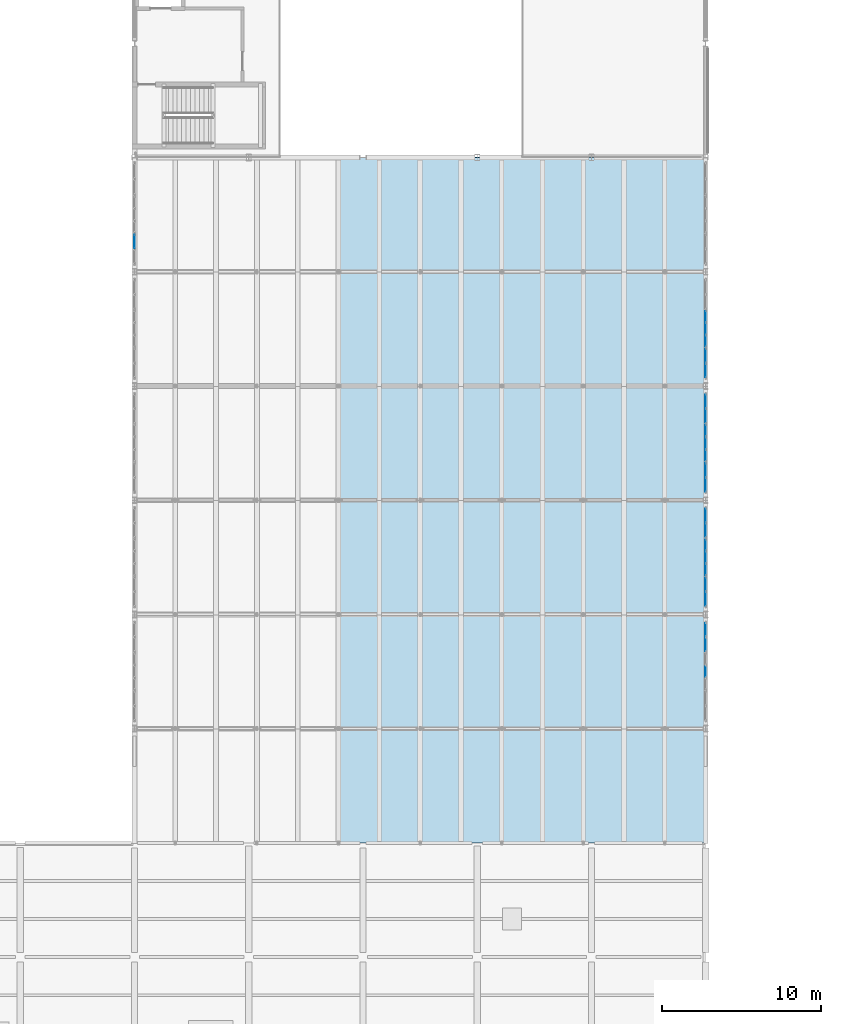
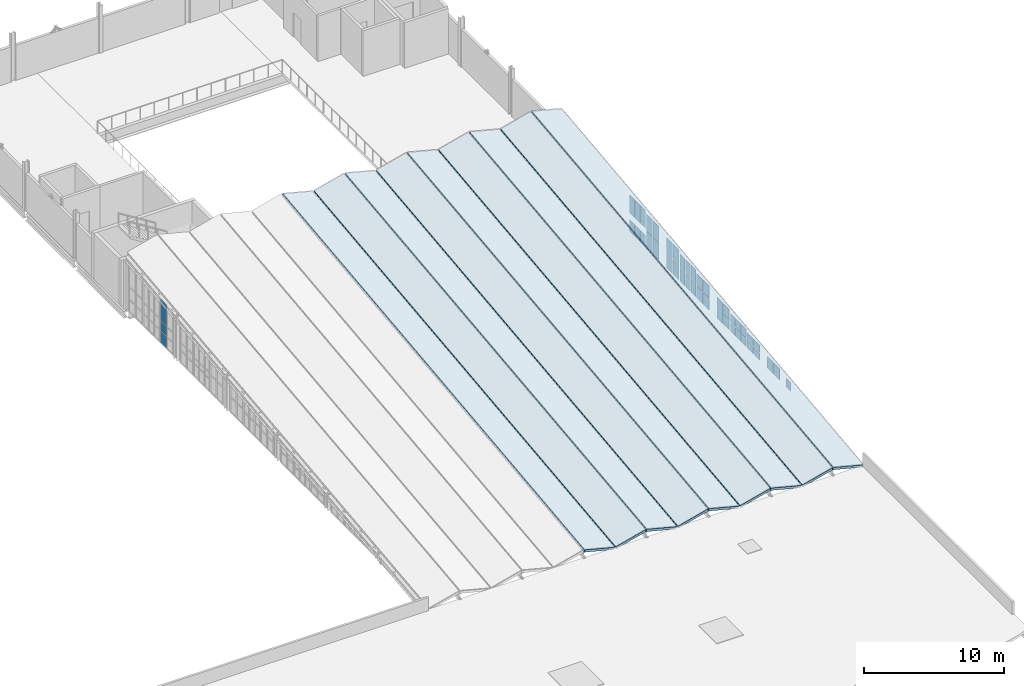
# One storey, part 31 of 48: 44 plates, 9 slabs, 12 elements without a shape of their own.
"""IFC4 building model written with IfcOpenShell, lengths in metres."""

from ifc_helpers import new_model, si_unit, direction, frame, origin, origin_2d, place, context, subcontext, project, spatial, polyline, rectangle, outline, extrude, material, layer, layer_set, type_object, element, aggregate, save


model = new_model("IFC4")

# Units and contexts
model_context = context("Model", 3, precision=1e-05, world=origin(), true_north=direction((0.0, 1.0)))
body_context = subcontext(model_context, "Body", "Model", "MODEL_VIEW")
ifc_project = project(units=[si_unit("LENGTHUNIT", "METRE"), si_unit("AREAUNIT", "SQUARE_METRE"), si_unit("VOLUMEUNIT", "CUBIC_METRE"), si_unit("PLANEANGLEUNIT", "RADIAN"), si_unit("MASSUNIT", "GRAM", prefix="KILO"), si_unit("THERMODYNAMICTEMPERATUREUNIT", "KELVIN"), si_unit("POWERUNIT", "WATT")], contexts=[model_context])

# Site, building, storey
site_placement = place(None, origin())
site = spatial("IfcSite", under=ifc_project, at=site_placement, CompositionType="ELEMENT")
building_placement = place(site_placement, origin())
building = spatial("IfcBuilding", under=site, at=building_placement, Name="Kaldorven Railside Theatre", CompositionType="ELEMENT")
storey_placement = place(building_placement, frame((0.0, 0.0, 18.89990234375)))
storey = spatial("IfcBuildingStorey", under=building, at=storey_placement, Name="L04", CompositionType="ELEMENT", Elevation=18.89990234375)

# Curtain wall, plates
ifc_material_1 = material(Name="Low-E laminated solar-control glass", Category="glass")
ifc_layer_1 = layer(ifc_material_1, 0.159912109375, Name="Low-E laminated solar-control glass")
ifc_layer_set_1 = layer_set([ifc_layer_1], Name="Low-E laminated solar-control glass")
curtain_wall_type_1 = type_object("IfcCurtainWallType", Name="CWT-38", PredefinedType="USERDEFINED", material=ifc_layer_set_1)
curtain_wall_1_placement = place(storey_placement, origin())
curtain_wall_1 = element("IfcCurtainWall", 1, at=curtain_wall_1_placement, inside=storey, type_object=curtain_wall_type_1, Name="Main Theatre West Eave Clerestory CWG-014", ObjectType="FLUTED GLAZING", PredefinedType="USERDEFINED")
ifc_layer_2 = layer(ifc_material_1, 0.028076171875, Name="Low-E laminated solar-control glass")
ifc_layer_set_2 = layer_set([ifc_layer_2], Name="Low-E laminated solar-control glass")
plate_type = type_object("IfcPlateType", Name="CWP-GLZ28", PredefinedType="CURTAIN_PANEL", material=ifc_layer_set_2)
plate_1_placement = place(storey_placement, frame((87.199951171875, 78.6962890625, 0.080078125), z_axis=(0.0, 0.0, 1.0), x_axis=(0.0, 1.0, 0.0)))
plate_1 = element("IfcPlate", 2, at=plate_1_placement, type_object=plate_type, Name="CWG-014 panel 2.1", PredefinedType="CURTAIN_PANEL", context=body_context, shape_type="SweptSolid", body=[
    extrude(rectangle(XDim=0.847412109375, YDim=0.028076171875, at=origin_2d()), origin(), (0.0, 0.0, 1.0), 1.010009765625),
])
plate_2_placement = place(storey_placement, frame((87.199951171875, 78.6962890625, 1.150146484375), z_axis=(0.0, 0.0, 1.0), x_axis=(0.0, 1.0, 0.0)))
plate_2 = element("IfcPlate", 3, at=plate_2_placement, type_object=plate_type, Name="CWG-014 panel 2.2", PredefinedType="CURTAIN_PANEL", context=body_context, shape_type="SweptSolid", body=[
    extrude(rectangle(XDim=0.847412109375, YDim=0.028076171875, at=origin_2d()), origin(), (0.0, 0.0, 1.0), 0.7900390625),
])
plate_3_placement = place(storey_placement, frame((87.199951171875, 78.6962890625, 2.0), z_axis=(0.0, 0.0, 1.0), x_axis=(0.0, 1.0, 0.0)))
plate_3 = element("IfcPlate", 4, at=plate_3_placement, type_object=plate_type, Name="CWG-014 panel 2.3", PredefinedType="CURTAIN_PANEL", context=body_context, shape_type="SweptSolid", body=[
    extrude(rectangle(XDim=0.847412109375, YDim=0.028076171875, at=origin_2d()), origin(), (0.0, 0.0, 1.0), 1.860107421875),
])
aggregate(curtain_wall_1, [plate_1, plate_2, plate_3])

# Curtain wall, plate
ifc_layer_3 = layer(ifc_material_1, 0.159912109375, Name="Low-E laminated solar-control glass")
ifc_layer_set_3 = layer_set([ifc_layer_3], Name="Low-E laminated solar-control glass")
curtain_wall_type_2 = type_object("IfcCurtainWallType", Name="CWT-27", PredefinedType="USERDEFINED", material=ifc_layer_set_3)
curtain_wall_2_placement = place(storey_placement, origin())
curtain_wall_2 = element("IfcCurtainWall", 5, at=curtain_wall_2_placement, inside=storey, type_object=curtain_wall_type_2, Name="Main Theatre East Eave Clerestory CWG-019", ObjectType="FLUTED GLAZING", PredefinedType="USERDEFINED")
plate_4_placement = place(storey_placement, frame((123.199951171875, 51.60009765625, 0.080078125), z_axis=(0.0, 0.0, 1.0), x_axis=(0.0, 1.0, 0.0)))
plate_4 = element("IfcPlate", 6, at=plate_4_placement, type_object=plate_type, Name="CWG-019 panel 2.1", PredefinedType="CURTAIN_PANEL", context=body_context, shape_type="SweptSolid", body=[
    extrude(rectangle(XDim=0.719970703125, YDim=0.028076171875, at=origin_2d()), origin(), (0.0, 0.0, 1.0), 0.719970703125),
])
aggregate(curtain_wall_2, [plate_4])

# Curtain wall, plates
ifc_layer_4 = layer(ifc_material_1, 0.159912109375, Name="Low-E laminated solar-control glass")
ifc_layer_set_4 = layer_set([ifc_layer_4], Name="Low-E laminated solar-control glass")
curtain_wall_type_3 = type_object("IfcCurtainWallType", Name="CWT-28", PredefinedType="USERDEFINED", material=ifc_layer_set_4)
curtain_wall_3_placement = place(storey_placement, origin())
curtain_wall_3 = element("IfcCurtainWall", 7, at=curtain_wall_3_placement, inside=storey, type_object=curtain_wall_type_3, Name="Main Theatre East Eave Clerestory CWG-020", ObjectType="FLUTED GLAZING", PredefinedType="USERDEFINED")
plate_5_placement = place(storey_placement, frame((123.199951171875, 53.3037109375, 0.080078125), z_axis=(0.0, 0.0, 1.0), x_axis=(0.0, 1.0, 0.0)))
plate_5 = element("IfcPlate", 8, at=plate_5_placement, type_object=plate_type, Name="CWG-020 panel 1.1", PredefinedType="CURTAIN_PANEL", context=body_context, shape_type="SweptSolid", body=[
    extrude(rectangle(XDim=0.847412109375, YDim=0.028076171875, at=origin_2d()), origin(), (0.0, 0.0, 1.0), 1.0),
])
plate_6_placement = place(storey_placement, frame((123.199951171875, 54.231201171875, 0.080078125), z_axis=(0.0, 0.0, 1.0), x_axis=(0.0, 1.0, 0.0)))
plate_6 = element("IfcPlate", 9, at=plate_6_placement, type_object=plate_type, Name="CWG-020 panel 2.1", PredefinedType="CURTAIN_PANEL", context=body_context, shape_type="SweptSolid", body=[
    extrude(rectangle(XDim=0.847412109375, YDim=0.028076171875, at=origin_2d()), origin(), (0.0, 0.0, 1.0), 1.0),
])
aggregate(curtain_wall_3, [plate_5, plate_6])

ifc_layer_5 = layer(ifc_material_1, 0.159912109375, Name="Low-E laminated solar-control glass")
ifc_layer_set_5 = layer_set([ifc_layer_5], Name="Low-E laminated solar-control glass")
curtain_wall_type_4 = type_object("IfcCurtainWallType", Name="CWT-29", PredefinedType="USERDEFINED", material=ifc_layer_set_5)
curtain_wall_4_placement = place(storey_placement, origin())
curtain_wall_4 = element("IfcCurtainWall", 10, at=curtain_wall_4_placement, inside=storey, type_object=curtain_wall_type_4, Name="Main Theatre East Eave Clerestory CWG-021", ObjectType="FLUTED GLAZING", PredefinedType="USERDEFINED")
plate_7_placement = place(storey_placement, frame((123.199951171875, 56.168701171875, 0.080078125), z_axis=(0.0, 0.0, 1.0), x_axis=(0.0, 1.0, 0.0)))
plate_7 = element("IfcPlate", 11, at=plate_7_placement, type_object=plate_type, Name="CWG-021 panel 1.1", PredefinedType="CURTAIN_PANEL", context=body_context, shape_type="SweptSolid", body=[
    extrude(rectangle(XDim=0.847412109375, YDim=0.028076171875, at=origin_2d()), origin(), (0.0, 0.0, 1.0), 0.6298828125),
])
plate_8_placement = place(storey_placement, frame((123.199951171875, 56.168701171875, 0.770263671875), z_axis=(0.0, 0.0, 1.0), x_axis=(0.0, 1.0, 0.0)))
plate_8 = element("IfcPlate", 12, at=plate_8_placement, type_object=plate_type, Name="CWG-021 panel 1.2", PredefinedType="CURTAIN_PANEL", context=body_context, shape_type="SweptSolid", body=[
    extrude(rectangle(XDim=0.847412109375, YDim=0.028076171875, at=origin_2d()), origin(), (0.0, 0.0, 1.0), 0.6298828125),
])
plate_9_placement = place(storey_placement, frame((123.199951171875, 57.09619140625, 0.080078125), z_axis=(0.0, 0.0, 1.0), x_axis=(0.0, 1.0, 0.0)))
plate_9 = element("IfcPlate", 13, at=plate_9_placement, type_object=plate_type, Name="CWG-021 panel 2.1", PredefinedType="CURTAIN_PANEL", context=body_context, shape_type="SweptSolid", body=[
    extrude(rectangle(XDim=0.847412109375, YDim=0.028076171875, at=origin_2d()), origin(), (0.0, 0.0, 1.0), 0.6298828125),
])
plate_10_placement = place(storey_placement, frame((123.199951171875, 57.09619140625, 0.770263671875), z_axis=(0.0, 0.0, 1.0), x_axis=(0.0, 1.0, 0.0)))
plate_10 = element("IfcPlate", 14, at=plate_10_placement, type_object=plate_type, Name="CWG-021 panel 2.2", PredefinedType="CURTAIN_PANEL", context=body_context, shape_type="SweptSolid", body=[
    extrude(rectangle(XDim=0.847412109375, YDim=0.028076171875, at=origin_2d()), origin(), (0.0, 0.0, 1.0), 0.6298828125),
])
aggregate(curtain_wall_4, [plate_7, plate_8, plate_9, plate_10])

ifc_layer_6 = layer(ifc_material_1, 0.159912109375, Name="Low-E laminated solar-control glass")
ifc_layer_set_6 = layer_set([ifc_layer_6], Name="Low-E laminated solar-control glass")
curtain_wall_type_5 = type_object("IfcCurtainWallType", Name="CWT-30", PredefinedType="USERDEFINED", material=ifc_layer_set_6)
curtain_wall_5_placement = place(storey_placement, origin())
curtain_wall_5 = element("IfcCurtainWall", 15, at=curtain_wall_5_placement, inside=storey, type_object=curtain_wall_type_5, Name="Main Theatre East Eave Clerestory CWG-022", ObjectType="FLUTED GLAZING", PredefinedType="USERDEFINED")
plate_11_placement = place(storey_placement, frame((123.199951171875, 58.02001953125, 0.080078125), z_axis=(0.0, 0.0, 1.0), x_axis=(0.0, 1.0, 0.0)))
plate_11 = element("IfcPlate", 16, at=plate_11_placement, type_object=plate_type, Name="CWG-022 panel 1.1", PredefinedType="CURTAIN_PANEL", context=body_context, shape_type="SweptSolid", body=[
    extrude(rectangle(XDim=0.679931640625, YDim=0.028076171875, at=origin_2d()), origin(), (0.0, 0.0, 1.0), 0.739990234375),
])
plate_12_placement = place(storey_placement, frame((123.199951171875, 58.02001953125, 0.8798828125), z_axis=(0.0, 0.0, 1.0), x_axis=(0.0, 1.0, 0.0)))
plate_12 = element("IfcPlate", 17, at=plate_12_placement, type_object=plate_type, Name="CWG-022 panel 1.2", PredefinedType="CURTAIN_PANEL", context=body_context, shape_type="SweptSolid", body=[
    extrude(rectangle(XDim=0.679931640625, YDim=0.028076171875, at=origin_2d()), origin(), (0.0, 0.0, 1.0), 0.739990234375),
])
plate_13_placement = place(storey_placement, frame((123.199951171875, 58.800048828125, 0.080078125), z_axis=(0.0, 0.0, 1.0), x_axis=(0.0, 1.0, 0.0)))
plate_13 = element("IfcPlate", 18, at=plate_13_placement, type_object=plate_type, Name="CWG-022 panel 2.1", PredefinedType="CURTAIN_PANEL", context=body_context, shape_type="SweptSolid", body=[
    extrude(rectangle(XDim=0.719970703125, YDim=0.028076171875, at=origin_2d()), origin(), (0.0, 0.0, 1.0), 0.739990234375),
])
plate_14_placement = place(storey_placement, frame((123.199951171875, 58.800048828125, 0.8798828125), z_axis=(0.0, 0.0, 1.0), x_axis=(0.0, 1.0, 0.0)))
plate_14 = element("IfcPlate", 19, at=plate_14_placement, type_object=plate_type, Name="CWG-022 panel 2.2", PredefinedType="CURTAIN_PANEL", context=body_context, shape_type="SweptSolid", body=[
    extrude(rectangle(XDim=0.719970703125, YDim=0.028076171875, at=origin_2d()), origin(), (0.0, 0.0, 1.0), 0.739990234375),
])
plate_15_placement = place(storey_placement, frame((123.199951171875, 59.580078125, 0.080078125), z_axis=(0.0, 0.0, 1.0), x_axis=(0.0, 1.0, 0.0)))
plate_15 = element("IfcPlate", 20, at=plate_15_placement, type_object=plate_type, Name="CWG-022 panel 3.1", PredefinedType="CURTAIN_PANEL", context=body_context, shape_type="SweptSolid", body=[
    extrude(rectangle(XDim=0.679931640625, YDim=0.028076171875, at=origin_2d()), origin(), (0.0, 0.0, 1.0), 0.739990234375),
])
plate_16_placement = place(storey_placement, frame((123.199951171875, 59.580078125, 0.8798828125), z_axis=(0.0, 0.0, 1.0), x_axis=(0.0, 1.0, 0.0)))
plate_16 = element("IfcPlate", 21, at=plate_16_placement, type_object=plate_type, Name="CWG-022 panel 3.2", PredefinedType="CURTAIN_PANEL", context=body_context, shape_type="SweptSolid", body=[
    extrude(rectangle(XDim=0.679931640625, YDim=0.028076171875, at=origin_2d()), origin(), (0.0, 0.0, 1.0), 0.739990234375),
])
aggregate(curtain_wall_5, [plate_11, plate_12, plate_13, plate_14, plate_15, plate_16])

ifc_layer_7 = layer(ifc_material_1, 0.159912109375, Name="Low-E laminated solar-control glass")
ifc_layer_set_7 = layer_set([ifc_layer_7], Name="Low-E laminated solar-control glass")
curtain_wall_type_6 = type_object("IfcCurtainWallType", Name="CWT-31", PredefinedType="USERDEFINED", material=ifc_layer_set_7)
curtain_wall_6_placement = place(storey_placement, origin())
curtain_wall_6 = element("IfcCurtainWall", 22, at=curtain_wall_6_placement, inside=storey, type_object=curtain_wall_type_6, Name="Main Theatre East Eave Clerestory CWG-023", ObjectType="FLUTED GLAZING", PredefinedType="USERDEFINED")
plate_17_placement = place(storey_placement, frame((123.199951171875, 60.503662109375, 0.080078125), z_axis=(0.0, 0.0, 1.0), x_axis=(0.0, 1.0, 0.0)))
plate_17 = element("IfcPlate", 23, at=plate_17_placement, type_object=plate_type, Name="CWG-023 panel 1.1", PredefinedType="CURTAIN_PANEL", context=body_context, shape_type="SweptSolid", body=[
    extrude(rectangle(XDim=0.847412109375, YDim=0.028076171875, at=origin_2d()), origin(), (0.0, 0.0, 1.0), 0.8798828125),
])
plate_18_placement = place(storey_placement, frame((123.199951171875, 60.503662109375, 1.020263671875), z_axis=(0.0, 0.0, 1.0), x_axis=(0.0, 1.0, 0.0)))
plate_18 = element("IfcPlate", 24, at=plate_18_placement, type_object=plate_type, Name="CWG-023 panel 1.2", PredefinedType="CURTAIN_PANEL", context=body_context, shape_type="SweptSolid", body=[
    extrude(rectangle(XDim=0.847412109375, YDim=0.028076171875, at=origin_2d()), origin(), (0.0, 0.0, 1.0), 0.8798828125),
])
plate_19_placement = place(storey_placement, frame((123.199951171875, 61.43115234375, 0.080078125), z_axis=(0.0, 0.0, 1.0), x_axis=(0.0, 1.0, 0.0)))
plate_19 = element("IfcPlate", 25, at=plate_19_placement, type_object=plate_type, Name="CWG-023 panel 2.1", PredefinedType="CURTAIN_PANEL", context=body_context, shape_type="SweptSolid", body=[
    extrude(rectangle(XDim=0.847412109375, YDim=0.028076171875, at=origin_2d()), origin(), (0.0, 0.0, 1.0), 0.8798828125),
])
plate_20_placement = place(storey_placement, frame((123.199951171875, 61.43115234375, 1.020263671875), z_axis=(0.0, 0.0, 1.0), x_axis=(0.0, 1.0, 0.0)))
plate_20 = element("IfcPlate", 26, at=plate_20_placement, type_object=plate_type, Name="CWG-023 panel 2.2", PredefinedType="CURTAIN_PANEL", context=body_context, shape_type="SweptSolid", body=[
    extrude(rectangle(XDim=0.847412109375, YDim=0.028076171875, at=origin_2d()), origin(), (0.0, 0.0, 1.0), 0.8798828125),
])
aggregate(curtain_wall_6, [plate_17, plate_18, plate_19, plate_20])

ifc_layer_8 = layer(ifc_material_1, 0.159912109375, Name="Low-E laminated solar-control glass")
ifc_layer_set_8 = layer_set([ifc_layer_8], Name="Low-E laminated solar-control glass")
curtain_wall_type_7 = type_object("IfcCurtainWallType", Name="CWT-32", PredefinedType="USERDEFINED", material=ifc_layer_set_8)
curtain_wall_7_placement = place(storey_placement, origin())
curtain_wall_7 = element("IfcCurtainWall", 27, at=curtain_wall_7_placement, inside=storey, type_object=curtain_wall_type_7, Name="Main Theatre East Eave Clerestory CWG-024", ObjectType="FLUTED GLAZING", PredefinedType="USERDEFINED")
plate_21_placement = place(storey_placement, frame((123.199951171875, 63.36865234375, 0.080078125), z_axis=(0.0, 0.0, 1.0), x_axis=(0.0, 1.0, 0.0)))
plate_21 = element("IfcPlate", 28, at=plate_21_placement, type_object=plate_type, Name="CWG-024 panel 1.1", PredefinedType="CURTAIN_PANEL", context=body_context, shape_type="SweptSolid", body=[
    extrude(rectangle(XDim=0.847412109375, YDim=0.028076171875, at=origin_2d()), origin(), (0.0, 0.0, 1.0), 1.0400390625),
])
plate_22_placement = place(storey_placement, frame((123.199951171875, 63.36865234375, 1.18017578125), z_axis=(0.0, 0.0, 1.0), x_axis=(0.0, 1.0, 0.0)))
plate_22 = element("IfcPlate", 29, at=plate_22_placement, type_object=plate_type, Name="CWG-024 panel 1.2", PredefinedType="CURTAIN_PANEL", context=body_context, shape_type="SweptSolid", body=[
    extrude(rectangle(XDim=0.847412109375, YDim=0.028076171875, at=origin_2d()), origin(), (0.0, 0.0, 1.0), 1.0400390625),
])
plate_23_placement = place(storey_placement, frame((123.199951171875, 64.296142578125, 0.080078125), z_axis=(0.0, 0.0, 1.0), x_axis=(0.0, 1.0, 0.0)))
plate_23 = element("IfcPlate", 30, at=plate_23_placement, type_object=plate_type, Name="CWG-024 panel 2.1", PredefinedType="CURTAIN_PANEL", context=body_context, shape_type="SweptSolid", body=[
    extrude(rectangle(XDim=0.847412109375, YDim=0.028076171875, at=origin_2d()), origin(), (0.0, 0.0, 1.0), 1.0400390625),
])
plate_24_placement = place(storey_placement, frame((123.199951171875, 64.296142578125, 1.18017578125), z_axis=(0.0, 0.0, 1.0), x_axis=(0.0, 1.0, 0.0)))
plate_24 = element("IfcPlate", 31, at=plate_24_placement, type_object=plate_type, Name="CWG-024 panel 2.2", PredefinedType="CURTAIN_PANEL", context=body_context, shape_type="SweptSolid", body=[
    extrude(rectangle(XDim=0.847412109375, YDim=0.028076171875, at=origin_2d()), origin(), (0.0, 0.0, 1.0), 1.0400390625),
])
aggregate(curtain_wall_7, [plate_21, plate_22, plate_23, plate_24])

ifc_layer_9 = layer(ifc_material_1, 0.159912109375, Name="Low-E laminated solar-control glass")
ifc_layer_set_9 = layer_set([ifc_layer_9], Name="Low-E laminated solar-control glass")
curtain_wall_type_8 = type_object("IfcCurtainWallType", Name="CWT-33", PredefinedType="USERDEFINED", material=ifc_layer_set_9)
curtain_wall_8_placement = place(storey_placement, origin())
curtain_wall_8 = element("IfcCurtainWall", 32, at=curtain_wall_8_placement, inside=storey, type_object=curtain_wall_type_8, Name="Main Theatre East Eave Clerestory CWG-025", ObjectType="FLUTED GLAZING", PredefinedType="USERDEFINED")
plate_25_placement = place(storey_placement, frame((123.199951171875, 65.219970703125, 0.080078125), z_axis=(0.0, 0.0, 1.0), x_axis=(0.0, 1.0, 0.0)))
plate_25 = element("IfcPlate", 33, at=plate_25_placement, type_object=plate_type, Name="CWG-025 panel 1.1", PredefinedType="CURTAIN_PANEL", context=body_context, shape_type="SweptSolid", body=[
    extrude(rectangle(XDim=0.679931640625, YDim=0.028076171875, at=origin_2d()), origin(), (0.0, 0.0, 1.0), 1.14990234375),
])
plate_26_placement = place(storey_placement, frame((123.199951171875, 65.219970703125, 1.2900390625), z_axis=(0.0, 0.0, 1.0), x_axis=(0.0, 1.0, 0.0)))
plate_26 = element("IfcPlate", 34, at=plate_26_placement, type_object=plate_type, Name="CWG-025 panel 1.2", PredefinedType="CURTAIN_PANEL", context=body_context, shape_type="SweptSolid", body=[
    extrude(rectangle(XDim=0.679931640625, YDim=0.028076171875, at=origin_2d()), origin(), (0.0, 0.0, 1.0), 1.14990234375),
])
plate_27_placement = place(storey_placement, frame((123.199951171875, 66.0, 0.080078125), z_axis=(0.0, 0.0, 1.0), x_axis=(0.0, 1.0, 0.0)))
plate_27 = element("IfcPlate", 35, at=plate_27_placement, type_object=plate_type, Name="CWG-025 panel 2.1", PredefinedType="CURTAIN_PANEL", context=body_context, shape_type="SweptSolid", body=[
    extrude(rectangle(XDim=0.719970703125, YDim=0.028076171875, at=origin_2d()), origin(), (0.0, 0.0, 1.0), 1.14990234375),
])
plate_28_placement = place(storey_placement, frame((123.199951171875, 66.0, 1.2900390625), z_axis=(0.0, 0.0, 1.0), x_axis=(0.0, 1.0, 0.0)))
plate_28 = element("IfcPlate", 36, at=plate_28_placement, type_object=plate_type, Name="CWG-025 panel 2.2", PredefinedType="CURTAIN_PANEL", context=body_context, shape_type="SweptSolid", body=[
    extrude(rectangle(XDim=0.719970703125, YDim=0.028076171875, at=origin_2d()), origin(), (0.0, 0.0, 1.0), 1.14990234375),
])
plate_29_placement = place(storey_placement, frame((123.199951171875, 66.780029296875, 0.080078125), z_axis=(0.0, 0.0, 1.0), x_axis=(0.0, 1.0, 0.0)))
plate_29 = element("IfcPlate", 37, at=plate_29_placement, type_object=plate_type, Name="CWG-025 panel 3.1", PredefinedType="CURTAIN_PANEL", context=body_context, shape_type="SweptSolid", body=[
    extrude(rectangle(XDim=0.679931640625, YDim=0.028076171875, at=origin_2d()), origin(), (0.0, 0.0, 1.0), 1.14990234375),
])
plate_30_placement = place(storey_placement, frame((123.199951171875, 66.780029296875, 1.2900390625), z_axis=(0.0, 0.0, 1.0), x_axis=(0.0, 1.0, 0.0)))
plate_30 = element("IfcPlate", 38, at=plate_30_placement, type_object=plate_type, Name="CWG-025 panel 3.2", PredefinedType="CURTAIN_PANEL", context=body_context, shape_type="SweptSolid", body=[
    extrude(rectangle(XDim=0.679931640625, YDim=0.028076171875, at=origin_2d()), origin(), (0.0, 0.0, 1.0), 1.14990234375),
])
aggregate(curtain_wall_8, [plate_25, plate_26, plate_27, plate_28, plate_29, plate_30])

ifc_layer_10 = layer(ifc_material_1, 0.159912109375, Name="Low-E laminated solar-control glass")
ifc_layer_set_10 = layer_set([ifc_layer_10], Name="Low-E laminated solar-control glass")
curtain_wall_type_9 = type_object("IfcCurtainWallType", Name="CWT-34", PredefinedType="USERDEFINED", material=ifc_layer_set_10)
curtain_wall_9_placement = place(storey_placement, origin())
curtain_wall_9 = element("IfcCurtainWall", 39, at=curtain_wall_9_placement, inside=storey, type_object=curtain_wall_type_9, Name="Main Theatre East Eave Clerestory CWG-026", ObjectType="FLUTED GLAZING", PredefinedType="USERDEFINED")
plate_31_placement = place(storey_placement, frame((123.199951171875, 67.703857421875, 0.080078125), z_axis=(0.0, 0.0, 1.0), x_axis=(0.0, 1.0, 0.0)))
plate_31 = element("IfcPlate", 40, at=plate_31_placement, type_object=plate_type, Name="CWG-026 panel 1.1", PredefinedType="CURTAIN_PANEL", context=body_context, shape_type="SweptSolid", body=[
    extrude(rectangle(XDim=0.847412109375, YDim=0.028076171875, at=origin_2d()), origin(), (0.0, 0.0, 1.0), 1.2900390625),
])
plate_32_placement = place(storey_placement, frame((123.199951171875, 67.703857421875, 1.43017578125), z_axis=(0.0, 0.0, 1.0), x_axis=(0.0, 1.0, 0.0)))
plate_32 = element("IfcPlate", 41, at=plate_32_placement, type_object=plate_type, Name="CWG-026 panel 1.2", PredefinedType="CURTAIN_PANEL", context=body_context, shape_type="SweptSolid", body=[
    extrude(rectangle(XDim=0.847412109375, YDim=0.028076171875, at=origin_2d()), origin(), (0.0, 0.0, 1.0), 1.2900390625),
])
plate_33_placement = place(storey_placement, frame((123.199951171875, 68.63134765625, 0.080078125), z_axis=(0.0, 0.0, 1.0), x_axis=(0.0, 1.0, 0.0)))
plate_33 = element("IfcPlate", 42, at=plate_33_placement, type_object=plate_type, Name="CWG-026 panel 2.1", PredefinedType="CURTAIN_PANEL", context=body_context, shape_type="SweptSolid", body=[
    extrude(rectangle(XDim=0.847412109375, YDim=0.028076171875, at=origin_2d()), origin(), (0.0, 0.0, 1.0), 1.2900390625),
])
plate_34_placement = place(storey_placement, frame((123.199951171875, 68.63134765625, 1.43017578125), z_axis=(0.0, 0.0, 1.0), x_axis=(0.0, 1.0, 0.0)))
plate_34 = element("IfcPlate", 43, at=plate_34_placement, type_object=plate_type, Name="CWG-026 panel 2.2", PredefinedType="CURTAIN_PANEL", context=body_context, shape_type="SweptSolid", body=[
    extrude(rectangle(XDim=0.847412109375, YDim=0.028076171875, at=origin_2d()), origin(), (0.0, 0.0, 1.0), 1.2900390625),
])
aggregate(curtain_wall_9, [plate_31, plate_32, plate_33, plate_34])

ifc_layer_11 = layer(ifc_material_1, 0.159912109375, Name="Low-E laminated solar-control glass")
ifc_layer_set_11 = layer_set([ifc_layer_11], Name="Low-E laminated solar-control glass")
curtain_wall_type_10 = type_object("IfcCurtainWallType", Name="CWT-35", PredefinedType="USERDEFINED", material=ifc_layer_set_11)
curtain_wall_10_placement = place(storey_placement, origin())
curtain_wall_10 = element("IfcCurtainWall", 44, at=curtain_wall_10_placement, inside=storey, type_object=curtain_wall_type_10, Name="Main Theatre East Eave Clerestory CWG-027", ObjectType="FLUTED GLAZING", PredefinedType="USERDEFINED")
plate_35_placement = place(storey_placement, frame((123.199951171875, 70.56884765625, 0.080078125), z_axis=(0.0, 0.0, 1.0), x_axis=(0.0, 1.0, 0.0)))
plate_35 = element("IfcPlate", 45, at=plate_35_placement, type_object=plate_type, Name="CWG-027 panel 1.1", PredefinedType="CURTAIN_PANEL", context=body_context, shape_type="SweptSolid", body=[
    extrude(rectangle(XDim=0.847412109375, YDim=0.028076171875, at=origin_2d()), origin(), (0.0, 0.0, 1.0), 1.449951171875),
])
plate_36_placement = place(storey_placement, frame((123.199951171875, 70.56884765625, 1.59033203125), z_axis=(0.0, 0.0, 1.0), x_axis=(0.0, 1.0, 0.0)))
plate_36 = element("IfcPlate", 46, at=plate_36_placement, type_object=plate_type, Name="CWG-027 panel 1.2", PredefinedType="CURTAIN_PANEL", context=body_context, shape_type="SweptSolid", body=[
    extrude(rectangle(XDim=0.847412109375, YDim=0.028076171875, at=origin_2d()), origin(), (0.0, 0.0, 1.0), 1.449951171875),
])
plate_37_placement = place(storey_placement, frame((123.199951171875, 71.496337890625, 0.080078125), z_axis=(0.0, 0.0, 1.0), x_axis=(0.0, 1.0, 0.0)))
plate_37 = element("IfcPlate", 47, at=plate_37_placement, type_object=plate_type, Name="CWG-027 panel 2.1", PredefinedType="CURTAIN_PANEL", context=body_context, shape_type="SweptSolid", body=[
    extrude(rectangle(XDim=0.847412109375, YDim=0.028076171875, at=origin_2d()), origin(), (0.0, 0.0, 1.0), 1.449951171875),
])
plate_38_placement = place(storey_placement, frame((123.199951171875, 71.496337890625, 1.59033203125), z_axis=(0.0, 0.0, 1.0), x_axis=(0.0, 1.0, 0.0)))
plate_38 = element("IfcPlate", 48, at=plate_38_placement, type_object=plate_type, Name="CWG-027 panel 2.2", PredefinedType="CURTAIN_PANEL", context=body_context, shape_type="SweptSolid", body=[
    extrude(rectangle(XDim=0.847412109375, YDim=0.028076171875, at=origin_2d()), origin(), (0.0, 0.0, 1.0), 1.449951171875),
])
aggregate(curtain_wall_10, [plate_35, plate_36, plate_37, plate_38])

ifc_layer_12 = layer(ifc_material_1, 0.159912109375, Name="Low-E laminated solar-control glass")
ifc_layer_set_12 = layer_set([ifc_layer_12], Name="Low-E laminated solar-control glass")
curtain_wall_type_11 = type_object("IfcCurtainWallType", Name="CWT-36", PredefinedType="USERDEFINED", material=ifc_layer_set_12)
curtain_wall_11_placement = place(storey_placement, origin())
curtain_wall_11 = element("IfcCurtainWall", 49, at=curtain_wall_11_placement, inside=storey, type_object=curtain_wall_type_11, Name="Main Theatre East Eave Clerestory CWG-028", ObjectType="FLUTED GLAZING", PredefinedType="USERDEFINED")
plate_39_placement = place(storey_placement, frame((123.199951171875, 72.419921875, 0.080078125), z_axis=(0.0, 0.0, 1.0), x_axis=(0.0, 1.0, 0.0)))
plate_39 = element("IfcPlate", 50, at=plate_39_placement, type_object=plate_type, Name="CWG-028 panel 1.1", PredefinedType="CURTAIN_PANEL", context=body_context, shape_type="SweptSolid", body=[
    extrude(rectangle(XDim=0.679931640625, YDim=0.028076171875, at=origin_2d()), origin(), (0.0, 0.0, 1.0), 1.010009765625),
])
plate_40_placement = place(storey_placement, frame((123.199951171875, 72.419921875, 1.699951171875), z_axis=(0.0, 0.0, 1.0), x_axis=(0.0, 1.0, 0.0)))
plate_40 = element("IfcPlate", 51, at=plate_40_placement, type_object=plate_type, Name="CWG-028 panel 1.3", PredefinedType="CURTAIN_PANEL", context=body_context, shape_type="SweptSolid", body=[
    extrude(rectangle(XDim=0.679931640625, YDim=0.028076171875, at=origin_2d()), origin(), (0.0, 0.0, 1.0), 1.56005859375),
])
plate_41_placement = place(storey_placement, frame((123.199951171875, 73.199951171875, 0.080078125), z_axis=(0.0, 0.0, 1.0), x_axis=(0.0, 1.0, 0.0)))
plate_41 = element("IfcPlate", 52, at=plate_41_placement, type_object=plate_type, Name="CWG-028 panel 2.1", PredefinedType="CURTAIN_PANEL", context=body_context, shape_type="SweptSolid", body=[
    extrude(rectangle(XDim=0.719970703125, YDim=0.028076171875, at=origin_2d()), origin(), (0.0, 0.0, 1.0), 1.010009765625),
])
plate_42_placement = place(storey_placement, frame((123.199951171875, 73.199951171875, 1.699951171875), z_axis=(0.0, 0.0, 1.0), x_axis=(0.0, 1.0, 0.0)))
plate_42 = element("IfcPlate", 53, at=plate_42_placement, type_object=plate_type, Name="CWG-028 panel 2.3", PredefinedType="CURTAIN_PANEL", context=body_context, shape_type="SweptSolid", body=[
    extrude(rectangle(XDim=0.719970703125, YDim=0.028076171875, at=origin_2d()), origin(), (0.0, 0.0, 1.0), 1.56005859375),
])
plate_43_placement = place(storey_placement, frame((123.199951171875, 73.97998046875, 0.080078125), z_axis=(0.0, 0.0, 1.0), x_axis=(0.0, 1.0, 0.0)))
plate_43 = element("IfcPlate", 54, at=plate_43_placement, type_object=plate_type, Name="CWG-028 panel 3.1", PredefinedType="CURTAIN_PANEL", context=body_context, shape_type="SweptSolid", body=[
    extrude(rectangle(XDim=0.679931640625, YDim=0.028076171875, at=origin_2d()), origin(), (0.0, 0.0, 1.0), 1.010009765625),
])
plate_44_placement = place(storey_placement, frame((123.199951171875, 73.97998046875, 1.699951171875), z_axis=(0.0, 0.0, 1.0), x_axis=(0.0, 1.0, 0.0)))
plate_44 = element("IfcPlate", 55, at=plate_44_placement, type_object=plate_type, Name="CWG-028 panel 3.3", PredefinedType="CURTAIN_PANEL", context=body_context, shape_type="SweptSolid", body=[
    extrude(rectangle(XDim=0.679931640625, YDim=0.028076171875, at=origin_2d()), origin(), (0.0, 0.0, 1.0), 1.56005859375),
])
aggregate(curtain_wall_11, [plate_39, plate_40, plate_41, plate_42, plate_43, plate_44])

# Roof, slabs
ifc_material_2 = material(Name="Concrete C35/45", Category="concrete")
roof_type = type_object("IfcRoofType", Name="RF-FOLDED-MAIN", PredefinedType="BUTTERFLY_ROOF", material=ifc_material_2)
roof_placement = place(storey_placement, origin())
roof = element("IfcRoof", 56, at=roof_placement, inside=storey, type_object=roof_type, Name="Main Theatre 7-Bay Folded-Plate Roof", PredefinedType="BUTTERFLY_ROOF")
ifc_layer_13 = layer(ifc_material_2, 0.219970703125, Name="Concrete C35/45")
ifc_layer_set_13 = layer_set([ifc_layer_13], Name="Concrete C35/45")
slab_type = type_object("IfcSlabType", Name="SLB-RSL-220", PredefinedType="ROOF", material=ifc_layer_set_13)
slab_1_placement = place(storey_placement, frame((100.10498046875, 40.800048828125, 0.652587890625), z_axis=(0.248837600288, -0.109601821819, 0.962323900429), x_axis=(0.968156488061, 0.0, -0.250345790108)))
slab_1 = element("IfcSlab", 57, at=slab_1_placement, type_object=slab_type, Name="V1 Folded-Plate Roof Facet V1-FP-03R", PredefinedType="ROOF", context=body_context, shape_type="SweptSolid", body=[
    extrude(outline(polyline([(0.0, 0.0), (2.557010119776567, 1.3877787807814457e-17), (1.3252672711316573, 43.46178349341531), (-1.2317428486449096, 43.46178349341531), (0.0, 0.0)])), origin(), (0.0, 0.0, -1.0), 0.219970703125),
])
slab_2_placement = place(storey_placement, frame((102.676513671875, 40.800048828125, 0.012451171875), z_axis=(-0.248837600288, -0.109601821819, 0.962323900429), x_axis=(0.968156488061, 0.0, 0.250345790108)))
slab_2 = element("IfcSlab", 58, at=slab_2_placement, type_object=slab_type, Name="V1 Folded-Plate Roof Facet V1-FP-04L", PredefinedType="ROOF", context=body_context, shape_type="SweptSolid", body=[
    extrude(outline(polyline([(0.0, 0.0), (2.557010119776567, -1.3877787807814457e-17), (3.788752968421476, 43.46178349341532), (1.2317428486449096, 43.46178349341531), (0.0, 0.0)])), origin(), (0.0, 0.0, -1.0), 0.219970703125),
])
slab_3_placement = place(storey_placement, frame((105.248046875, 40.800048828125, 0.652587890625), z_axis=(0.248860623013, -0.10960115244, 0.96231802316), x_axis=(0.968150503278, 0.0, -0.25036893378)))
slab_3 = element("IfcSlab", 59, at=slab_3_placement, type_object=slab_type, Name="V1 Folded-Plate Roof Facet V1-FP-04R", PredefinedType="ROOF", context=body_context, shape_type="SweptSolid", body=[
    extrude(outline(polyline([(0.0, 0.0), (2.556773754177004, 1.3877787807814457e-17), (1.3249170348243515, 43.46178026607608), (-1.2318567193526528, 43.46178026607608), (0.0, 0.0)])), origin(), (0.0, 0.0, -1.0), 0.219970703125),
])
slab_4_placement = place(storey_placement, frame((107.8193359375, 40.800048828125, 0.012451171875), z_axis=(-0.248837600288, -0.109601821819, 0.962323900429), x_axis=(0.968156488061, 0.0, 0.250345790108)))
slab_4 = element("IfcSlab", 60, at=slab_4_placement, type_object=slab_type, Name="V1 Folded-Plate Roof Facet V1-FP-05L", PredefinedType="ROOF", context=body_context, shape_type="SweptSolid", body=[
    extrude(outline(polyline([(0.0, 0.0), (2.557010119776567, -1.3877787807814457e-17), (3.788752968421476, 43.46178349341532), (1.2317428486449096, 43.46178349341531), (0.0, 0.0)])), origin(), (0.0, 0.0, -1.0), 0.219970703125),
])
slab_5_placement = place(storey_placement, frame((110.390869140625, 40.800048828125, 0.652587890625), z_axis=(0.248860623013, -0.10960115244, 0.96231802316), x_axis=(0.968150503278, 0.0, -0.25036893378)))
slab_5 = element("IfcSlab", 61, at=slab_5_placement, type_object=slab_type, Name="V1 Folded-Plate Roof Facet V1-FP-05R", PredefinedType="ROOF", context=body_context, shape_type="SweptSolid", body=[
    extrude(outline(polyline([(0.0, 0.0), (2.556773754177004, 1.3877787807814457e-17), (1.3249170348243515, 43.46178026607608), (-1.2318567193526528, 43.46178026607608), (0.0, 0.0)])), origin(), (0.0, 0.0, -1.0), 0.219970703125),
])
slab_6_placement = place(storey_placement, frame((112.96240234375, 40.800048828125, 0.012451171875), z_axis=(-0.248860623013, -0.10960115244, 0.96231802316), x_axis=(0.968150503278, 0.0, 0.25036893378)))
slab_6 = element("IfcSlab", 62, at=slab_6_placement, type_object=slab_type, Name="V1 Folded-Plate Roof Facet V1-FP-06L", PredefinedType="ROOF", context=body_context, shape_type="SweptSolid", body=[
    extrude(outline(polyline([(0.0, 0.0), (2.556773754177004, -1.3877787807814457e-17), (3.7886304735296568, 43.46178026607609), (1.2318567193526528, 43.46178026607608), (0.0, 0.0)])), origin(), (0.0, 0.0, -1.0), 0.219970703125),
])
slab_7_placement = place(storey_placement, frame((115.53369140625, 40.800048828125, 0.652587890625), z_axis=(0.248837600288, -0.109601821819, 0.962323900429), x_axis=(0.968156488061, 0.0, -0.250345790108)))
slab_7 = element("IfcSlab", 63, at=slab_7_placement, type_object=slab_type, Name="V1 Folded-Plate Roof Facet V1-FP-06R", PredefinedType="ROOF", context=body_context, shape_type="SweptSolid", body=[
    extrude(outline(polyline([(0.0, 0.0), (2.557010119776567, 1.3877787807814457e-17), (1.3252672711316573, 43.46178349341531), (-1.2317428486449096, 43.46178349341531), (0.0, 0.0)])), origin(), (0.0, 0.0, -1.0), 0.219970703125),
])
slab_8_placement = place(storey_placement, frame((118.10498046875, 40.800048828125, 0.012451171875), z_axis=(-0.248837600288, -0.109601821819, 0.962323900429), x_axis=(0.968156488061, 0.0, 0.250345790108)))
slab_8 = element("IfcSlab", 64, at=slab_8_placement, type_object=slab_type, Name="V1 Folded-Plate Roof Facet V1-FP-07L", PredefinedType="ROOF", context=body_context, shape_type="SweptSolid", body=[
    extrude(outline(polyline([(0.0, 0.0), (2.557010119776567, -1.3877787807814457e-17), (3.788752968421476, 43.46178349341532), (1.2317428486449096, 43.46178349341531), (0.0, 0.0)])), origin(), (0.0, 0.0, -1.0), 0.219970703125),
])
slab_9_placement = place(storey_placement, frame((120.676513671875, 40.800048828125, 0.652587890625), z_axis=(0.248837600288, -0.109601821819, 0.962323900429), x_axis=(0.968156488061, 0.0, -0.250345790108)))
slab_9 = element("IfcSlab", 65, at=slab_9_placement, type_object=slab_type, Name="V1 Folded-Plate Roof Facet V1-FP-07R", PredefinedType="ROOF", context=body_context, shape_type="SweptSolid", body=[
    extrude(outline(polyline([(0.0, 0.0), (2.557010119776567, 1.3877787807814457e-17), (1.3252672711316573, 43.46178349341531), (-1.2317428486449096, 43.46178349341531), (0.0, 0.0)])), origin(), (0.0, 0.0, -1.0), 0.219970703125),
])
aggregate(roof, [slab_1, slab_2, slab_3, slab_4, slab_5, slab_6, slab_7, slab_8, slab_9])

save(model, "model.ifc")
